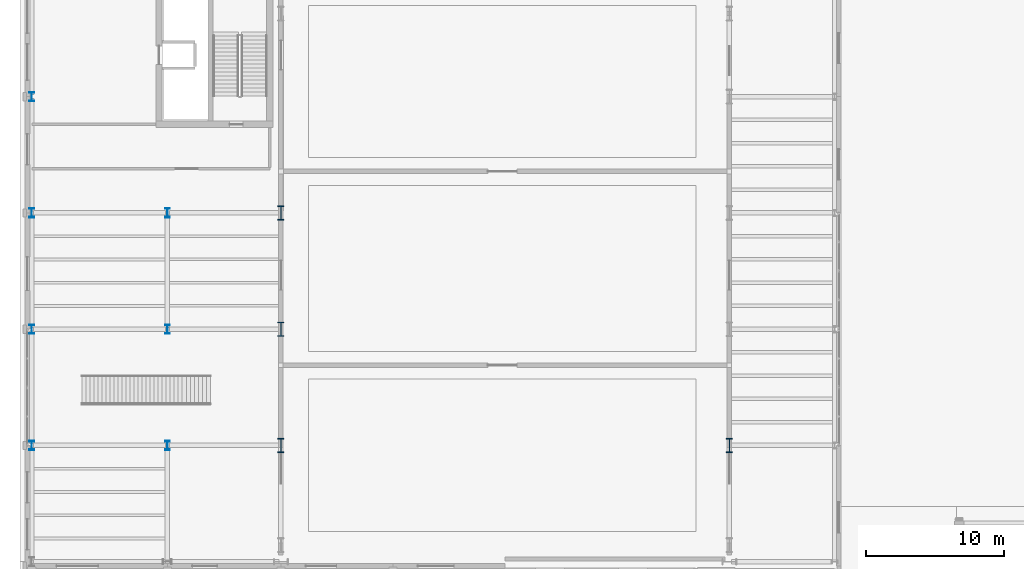
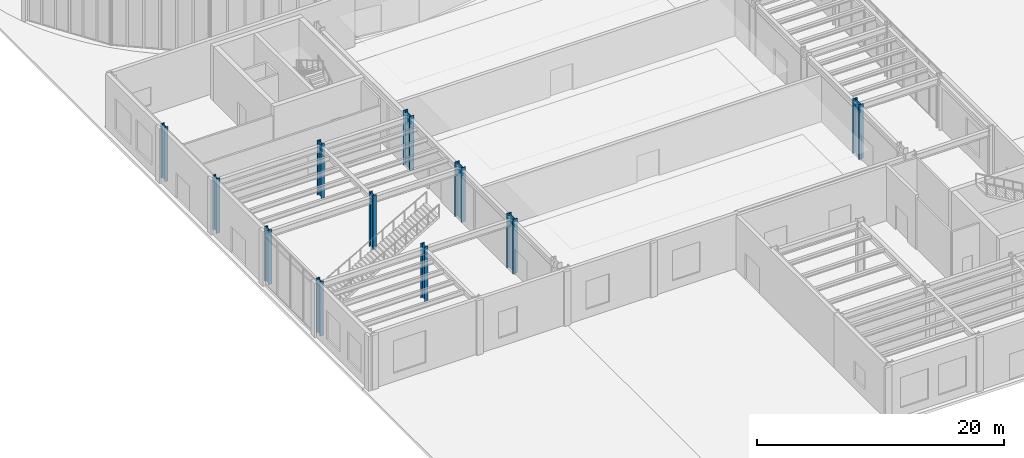
# One storey, part 3 of 94: 11 columns.
"""IFC4 building model written with IfcOpenShell, lengths in metres."""

from ifc_helpers import new_model, si_unit, direction, frame, origin, origin_2d, place, context, subcontext, project, spatial, i_section, extrude, material, material_profile, profile_set, type_object, element, save


model = new_model("IFC4")

# Units and contexts
model_context = context("Model", 3, precision=1e-05, world=origin(), true_north=direction((0.0, 1.0)))
body_context = subcontext(model_context, "Body", "Model", "MODEL_VIEW")
ifc_project = project(units=[si_unit("LENGTHUNIT", "METRE"), si_unit("AREAUNIT", "SQUARE_METRE"), si_unit("VOLUMEUNIT", "CUBIC_METRE"), si_unit("PLANEANGLEUNIT", "RADIAN"), si_unit("MASSUNIT", "GRAM", prefix="KILO")], contexts=[model_context])

# Site, building, storey
site_placement = place(None, origin())
site = spatial("IfcSite", under=ifc_project, at=site_placement, CompositionType="ELEMENT")
building_placement = place(site_placement, origin())
building = spatial("IfcBuilding", under=site, at=building_placement, Name="Sollismere Congress Hotel", CompositionType="ELEMENT")
storey_placement = place(building_placement, origin())
storey = spatial("IfcBuildingStorey", under=building, at=storey_placement, Name="L00", CompositionType="ELEMENT", Elevation=0.0)

# Columns
ifc_material = material(Name="Steel ASTM A992 Grade 50", Category="steel")
ifc_material_profile_1 = material_profile(ifc_material, i_section(OverallWidth=0.3330078125, OverallDepth=0.659912109375, WebThickness=0.0244140625, FlangeThickness=0.0439453125, at=origin_2d()), Name="W24X229")
ifc_profile_set_1 = profile_set([ifc_material_profile_1], Name="Steel ASTM A992 Grade 50")
column_type_1 = type_object("IfcColumnType", Name="COL-W24", PredefinedType="COLUMN", material=ifc_profile_set_1)
for number, where, z_axis, x_axis, name in (
    (1, (0.0, 33.199951171875, 0.0), (0.0, 0.0, 1.0), (1.0, 0.0, 0.0), "Column CL-L00-010"),
    (2, (0.0, 41.60009765625, 0.0), (0.0, 0.0, 1.0), (1.0, 0.0, 0.0), "Column CL-L00-015"),
    (3, (0.0, 50.0, 0.0), (0.0, 0.0, 1.0), (1.0, 0.0, 0.0), "Column CL-L00-020"),
    (4, (0.0, 58.39990234375, 0.0), (0.0, 0.0, 1.0), (1.0, 0.0, 0.0), "Column CL-L00-025"),
    (5, (9.800048828125, 33.199951171875, 0.0), (0.0, 0.0, 1.0), (1.0, 0.0, 0.0), "Column CL-L00-048"),
    (6, (9.800048828125, 41.60009765625, 0.0), (0.0, 0.0, 1.0), (1.0, 0.0, 0.0), "Column CL-L00-054"),
    (7, (9.800048828125, 50.0, 0.0), (0.0, 0.0, 1.0), (1.0, 0.0, 0.0), "Column CL-L00-060"),
):
    element("IfcColumn", number, at=place(storey_placement, frame(where, z_axis=z_axis, x_axis=x_axis)), inside=storey, type_object=column_type_1, Name=name, PredefinedType="COLUMN", context=body_context, shape_type="SweptSolid", body=[
        extrude(i_section(OverallWidth=0.3330078125, OverallDepth=0.659912109375, WebThickness=0.0244140625, FlangeThickness=0.0439453125, at=origin_2d()), origin(), (0.0, 0.0, 1.0), 5.39990234375),
    ])
ifc_material_profile_2 = material_profile(ifc_material, i_section(OverallWidth=0.427001953125, OverallDepth=1.041015625, WebThickness=0.031005859375, FlangeThickness=0.055908203125, at=origin_2d()), Name="W40X397")
ifc_profile_set_2 = profile_set([ifc_material_profile_2], Name="Steel ASTM A992 Grade 50")
column_type_2 = type_object("IfcColumnType", Name="COL-W40", PredefinedType="COLUMN", material=ifc_profile_set_2)
for number, where, z_axis, x_axis, name in (
    (8, (18.0, 33.199951171875, 0.0), (0.0, 0.0, 1.0), (1.0, 0.0, 0.0), "Column CL-L00-079"),
    (9, (18.0, 41.60009765625, 0.0), (0.0, 0.0, 1.0), (1.0, 0.0, 0.0), "Column CL-L00-085"),
    (10, (18.0, 50.0, 0.0), (0.0, 0.0, 1.0), (1.0, 0.0, 0.0), "Column CL-L00-091"),
    (11, (50.39990234375, 33.199951171875, 0.0), (0.0, 0.0, 1.0), (1.0, 0.0, 0.0), "Column CL-L00-206"),
):
    element("IfcColumn", number, at=place(storey_placement, frame(where, z_axis=z_axis, x_axis=x_axis)), inside=storey, type_object=column_type_2, Name=name, PredefinedType="COLUMN", context=body_context, shape_type="SweptSolid", body=[
        extrude(i_section(OverallWidth=0.427001953125, OverallDepth=1.041015625, WebThickness=0.031005859375, FlangeThickness=0.055908203125, at=origin_2d()), origin(), (0.0, 0.0, 1.0), 5.39990234375),
    ])

save(model, "model.ifc")
